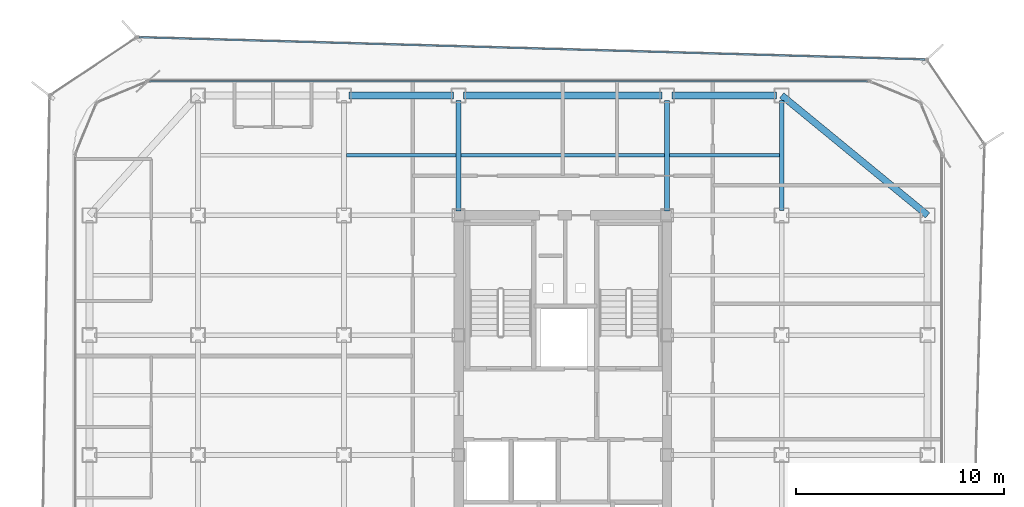
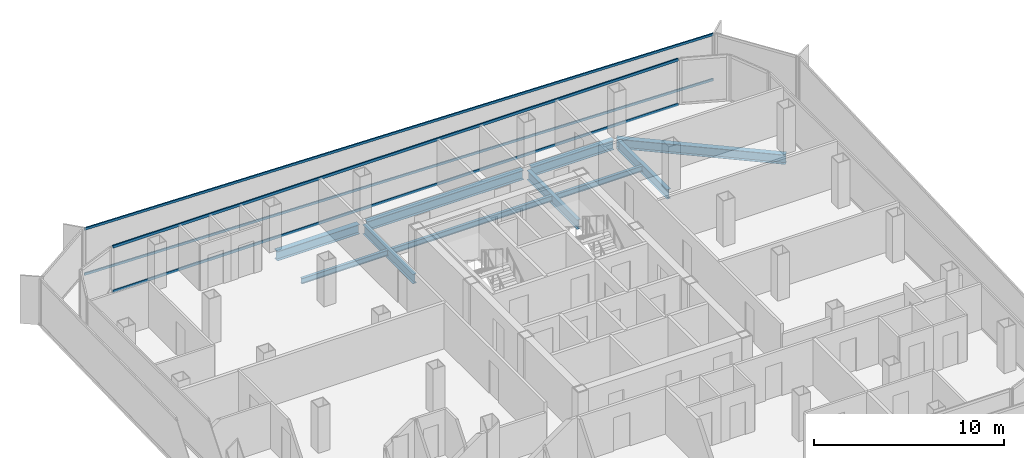
# One storey, part 7 of 16: 10 beams, 4 members, 2 elements without a shape of their own.
"""IFC4 building model written with IfcOpenShell, lengths in metres."""

from ifc_helpers import new_model, si_unit, direction, frame, origin, origin_2d, place, context, subcontext, project, spatial, hollow_rectangle, i_section, extrude, source, transform, mapped, material, layer, layer_set, material_profile, profile_set, type_object, element, aggregate, save


model = new_model("IFC4")

# Units and contexts
model_context = context("Model", 3, precision=1e-05, world=origin(), true_north=direction((0.0, 1.0)))
body_context = subcontext(model_context, "Body", "Model", "MODEL_VIEW")
ifc_project = project(units=[si_unit("LENGTHUNIT", "METRE"), si_unit("AREAUNIT", "SQUARE_METRE"), si_unit("VOLUMEUNIT", "CUBIC_METRE"), si_unit("PLANEANGLEUNIT", "RADIAN"), si_unit("MASSUNIT", "GRAM", prefix="KILO")], contexts=[model_context])

# Site, building, storey
site_placement = place(None, origin())
site = spatial("IfcSite", under=ifc_project, at=site_placement, CompositionType="ELEMENT")
building_placement = place(site_placement, origin())
building = spatial("IfcBuilding", under=site, at=building_placement, Name="Kolveth Station Tower", CompositionType="ELEMENT")
storey_placement = place(building_placement, frame((0.0, 0.0, 209.199951171875)))
storey = spatial("IfcBuildingStorey", under=building, at=storey_placement, Name="L59", CompositionType="ELEMENT", Elevation=209.199951171875)

# Beams
ifc_material_1 = material(Name="Steel S355", Category="steel")
ifc_material_profile_1 = material_profile(ifc_material_1, i_section(OverallWidth=0.323974609375, OverallDepth=0.611083984375, WebThickness=0.0126953125, FlangeThickness=0.01904296875, at=origin_2d()), Name="W610x155")
ifc_profile_set_1 = profile_set([ifc_material_profile_1], Name="Steel S355")
beam_type_1 = type_object("IfcBeamType", Name="Beam_SP2", PredefinedType="SPANDREL", material=ifc_profile_set_1)
shared_shape_1 = source(origin(), body_context, "Body", "SweptSolid", [
    extrude(i_section(OverallWidth=0.323974609375, OverallDepth=0.611083984375, WebThickness=0.0126953125, FlangeThickness=0.01904296875, at=origin_2d()), origin(), (0.0, 0.0, 1.0), 5.02001953125),
])
for number, where, z_axis, x_axis, name in (
    (1, (13.239990234375, 34.5, -0.555419921875), (1.0, 0.0, 0.0), (0.0, 1.0, 0.0), "L59 Perimeter Spandrel BM-L59-PN-2"),
    (2, (28.739990234375, 34.5, -0.555419921875), (1.0, 0.0, 0.0), (0.0, 1.0, 0.0), "L59 Perimeter Spandrel BM-L59-PN-4"),
):
    element("IfcBeam", number, at=place(storey_placement, frame(where, z_axis=z_axis, x_axis=x_axis)), inside=storey, type_object=beam_type_1, Name=name, PredefinedType="SPANDREL", context=body_context, shape_type="MappedRepresentation", body=[
        mapped(shared_shape_1, transform((0.0, 0.0, 0.0), x_axis=(1.0, 0.0, 0.0), y_axis=(0.0, 1.0, 0.0), z_axis=(0.0, 0.0, 1.0), scale=1.0)),
    ])
shared_shape_2 = source(origin(), body_context, "Body", "SweptSolid", [
    extrude(i_section(OverallWidth=0.323974609375, OverallDepth=0.611083984375, WebThickness=0.0126953125, FlangeThickness=0.01904296875, at=origin_2d()), origin(), (0.0, 0.0, 1.0), 9.52001953125),
])
beam_1_placement = place(storey_placement, frame((18.739990234375, 34.5, -0.555419921875), z_axis=(1.0, 0.0, 0.0), x_axis=(0.0, 1.0, 0.0)))
element("IfcBeam", 3, at=beam_1_placement, inside=storey, type_object=beam_type_1, Name="L59 Perimeter Spandrel BM-L59-PN-3", PredefinedType="SPANDREL", context=body_context, shape_type="MappedRepresentation", body=[
    mapped(shared_shape_2, transform((0.0, 0.0, 0.0), x_axis=(1.0, 0.0, 0.0), y_axis=(0.0, 1.0, 0.0), z_axis=(0.0, 0.0, 1.0), scale=1.0)),
])
shared_shape_3 = source(origin(), body_context, "Body", "SweptSolid", [
    extrude(i_section(OverallWidth=0.323974609375, OverallDepth=0.611083984375, WebThickness=0.0126953125, FlangeThickness=0.01904296875, at=origin_2d()), origin(), (0.0, 0.0, 1.0), 9.058837890625),
])
beam_2_placement = place(storey_placement, frame((41.0, 28.75, -0.555419921875), z_axis=(-0.772726254525, 0.63473942336, 0.0), x_axis=(-0.63473942336, -0.772726254525, 0.0)))
element("IfcBeam", 4, at=beam_2_placement, inside=storey, type_object=beam_type_1, Name="L59 Corner Edge Girder BM-L59-CNR-NE", PredefinedType="SPANDREL", context=body_context, shape_type="MappedRepresentation", body=[
    mapped(shared_shape_3, transform((0.0, 0.0, 0.0), x_axis=(1.0, 0.0, 0.0), y_axis=(0.0, 1.0, 0.0), z_axis=(0.0, 0.0, 1.0), scale=1.0)),
])
ifc_material_profile_2 = material_profile(ifc_material_1, i_section(OverallWidth=0.22900390625, OverallDepth=0.612060546875, WebThickness=0.011962890625, FlangeThickness=0.01953125, at=origin_2d()), Name="W610x125")
ifc_profile_set_2 = profile_set([ifc_material_profile_2], Name="Steel S355")
beam_type_2 = type_object("IfcBeamType", Name="Beam_B5", PredefinedType="BEAM", material=ifc_profile_set_2)
shared_shape_4 = source(origin(), body_context, "Body", "SweptSolid", [
    extrude(i_section(OverallWidth=0.22900390625, OverallDepth=0.612060546875, WebThickness=0.011962890625, FlangeThickness=0.01953125, at=origin_2d()), origin(), (0.0, 0.0, 1.0), 5.27001953125),
])
beam_3_placement = place(storey_placement, frame((34.0, 28.989990234375, -0.555908203125), z_axis=(0.0, 1.0, 0.0), x_axis=(-1.0, 0.0, 0.0)))
element("IfcBeam", 5, at=beam_3_placement, inside=storey, type_object=beam_type_2, Name="L59 Primary Girder BM-L59-GX340-6", PredefinedType="BEAM", context=body_context, shape_type="MappedRepresentation", body=[
    mapped(shared_shape_4, transform((0.0, 0.0, 0.0), x_axis=(1.0, 0.0, 0.0), y_axis=(0.0, 1.0, 0.0), z_axis=(0.0, 0.0, 1.0), scale=1.0)),
])
shared_shape_5 = source(origin(), body_context, "Body", "SweptSolid", [
    extrude(i_section(OverallWidth=0.22900390625, OverallDepth=0.612060546875, WebThickness=0.011962890625, FlangeThickness=0.01953125, at=origin_2d()), origin(), (0.0, 0.0, 1.0), 5.31005859375),
])
for number, where, z_axis, x_axis, name in (
    (6, (18.5, 28.949951171875, -0.555908203125), (0.0, 1.0, 0.0), (-1.0, 0.0, 0.0), "L59 Primary Girder BM-L59-GX185-6"),
    (7, (28.5, 28.949951171875, -0.555908203125), (0.0, 1.0, 0.0), (-1.0, 0.0, 0.0), "L59 Primary Girder BM-L59-GX285-6"),
):
    element("IfcBeam", number, at=place(storey_placement, frame(where, z_axis=z_axis, x_axis=x_axis)), inside=storey, type_object=beam_type_2, Name=name, PredefinedType="BEAM", context=body_context, shape_type="MappedRepresentation", body=[
        mapped(shared_shape_5, transform((0.0, 0.0, 0.0), x_axis=(1.0, 0.0, 0.0), y_axis=(0.0, 1.0, 0.0), z_axis=(0.0, 0.0, 1.0), scale=1.0)),
    ])
ifc_material_profile_3 = material_profile(ifc_material_1, i_section(OverallWidth=0.1708984375, OverallDepth=0.35205078125, WebThickness=0.0068359375, FlangeThickness=0.009765625, at=origin_2d()), Name="W360x44")
ifc_profile_set_3 = profile_set([ifc_material_profile_3], Name="Steel S355")
beam_type_3 = type_object("IfcBeamType", Name="Beam_J2", PredefinedType="JOIST", material=ifc_profile_set_3)
shared_shape_6 = source(origin(), body_context, "Body", "SweptSolid", [
    extrude(i_section(OverallWidth=0.1708984375, OverallDepth=0.35205078125, WebThickness=0.0068359375, FlangeThickness=0.009765625, at=origin_2d()), origin(), (0.0, 0.0, 1.0), 5.27490234375),
])
for number, where, z_axis, x_axis, name in (
    (8, (13.112548828125, 31.625, -0.426025390625), (1.0, 0.0, 0.0), (0.0, 1.0, 0.0), "L59 Secondary Joist JST-L59-3-6"),
    (9, (28.612548828125, 31.625, -0.426025390625), (1.0, 0.0, 0.0), (0.0, 1.0, 0.0), "L59 Secondary Joist JST-L59-5-6"),
):
    element("IfcBeam", number, at=place(storey_placement, frame(where, z_axis=z_axis, x_axis=x_axis)), inside=storey, type_object=beam_type_3, Name=name, PredefinedType="JOIST", context=body_context, shape_type="MappedRepresentation", body=[
        mapped(shared_shape_6, transform((0.0, 0.0, 0.0), x_axis=(1.0, 0.0, 0.0), y_axis=(0.0, 1.0, 0.0), z_axis=(0.0, 0.0, 1.0), scale=1.0)),
    ])
shared_shape_7 = source(origin(), body_context, "Body", "SweptSolid", [
    extrude(i_section(OverallWidth=0.1708984375, OverallDepth=0.35205078125, WebThickness=0.0068359375, FlangeThickness=0.009765625, at=origin_2d()), origin(), (0.0, 0.0, 1.0), 9.77490234375),
])
beam_4_placement = place(storey_placement, frame((18.612548828125, 31.625, -0.426025390625), z_axis=(1.0, 0.0, 0.0), x_axis=(0.0, 1.0, 0.0)))
element("IfcBeam", 10, at=beam_4_placement, inside=storey, type_object=beam_type_3, Name="L59 Secondary Joist JST-L59-4-6", PredefinedType="JOIST", context=body_context, shape_type="MappedRepresentation", body=[
    mapped(shared_shape_7, transform((0.0, 0.0, 0.0), x_axis=(1.0, 0.0, 0.0), y_axis=(0.0, 1.0, 0.0), z_axis=(0.0, 0.0, 1.0), scale=1.0)),
])

# Curtain wall, members
ifc_material_2 = material(Name="Aluminium 6063-T6 and low-E dark glass", Category="aluminium")
ifc_layer_1 = layer(ifc_material_2, 0.18994140625)
ifc_layer_set_1 = layer_set([ifc_layer_1], Name="Aluminium 6063-T6 and low-E dark glass")
curtain_wall_type_1 = type_object("IfcCurtainWallType", Name="CurtainWall_CW-Z2", PredefinedType="NOTDEFINED", material=ifc_layer_set_1)
curtain_wall_1_placement = place(storey_placement, origin())
curtain_wall_1 = element("IfcCurtainWall", 11, at=curtain_wall_1_placement, inside=storey, type_object=curtain_wall_type_1, Name="L59 Inner Thermal Curtain Wall 6", PredefinedType="NOTDEFINED")
ifc_material_3 = material(Name="Black anodized aluminium 6063-T6", Category="aluminium")
ifc_material_profile_4 = material_profile(ifc_material_3, hollow_rectangle(XDim=0.080078125, YDim=0.169921875, WallThickness=0.0048828125, at=origin_2d()), Name="ALU-80x170x5")
ifc_profile_set_4 = profile_set([ifc_material_profile_4], Name="Black anodized aluminium 6063-T6")
member_type_1 = type_object("IfcMemberType", Name="Transom_TR2", PredefinedType="USERDEFINED", material=ifc_profile_set_4)
shared_shape_8 = source(origin(), body_context, "Body", "SweptSolid", [
    extrude(hollow_rectangle(XDim=0.080078125, YDim=0.169921875, WallThickness=0.0048828125, at=origin_2d()), origin(), (0.0, 0.0, 1.0), 34.440185546875),
])
member_1_placement = place(storey_placement, frame((38.1201171875, 35.179931640625, 0.0400390625), z_axis=(-1.0, 0.0, 0.0), x_axis=(0.0, -1.0, 0.0)))
member_1 = element("IfcMember", 12, at=member_1_placement, type_object=member_type_1, Name="CW-Z2 transom 1.1", ObjectType="TRANSOM", PredefinedType="USERDEFINED", context=body_context, shape_type="MappedRepresentation", body=[
    mapped(shared_shape_8, transform((0.0, 0.0, 0.0), x_axis=(1.0, 0.0, 0.0), y_axis=(0.0, 1.0, 0.0), z_axis=(0.0, 0.0, 1.0), scale=1.0)),
])
member_2_placement = place(storey_placement, frame((38.1201171875, 35.179931640625, 2.91015625), z_axis=(-1.0, 0.0, 0.0), x_axis=(0.0, -1.0, 0.0)))
member_2 = element("IfcMember", 13, at=member_2_placement, type_object=member_type_1, Name="CW-Z2 transom 1.2", ObjectType="TRANSOM", PredefinedType="USERDEFINED", context=body_context, shape_type="MappedRepresentation", body=[
    mapped(shared_shape_8, transform((0.0, 0.0, 0.0), x_axis=(1.0, 0.0, 0.0), y_axis=(0.0, 1.0, 0.0), z_axis=(0.0, 0.0, 1.0), scale=1.0)),
])
aggregate(curtain_wall_1, [member_1, member_2])

ifc_material_4 = material(Name="Black anodized aluminium 6063-T6 and dark solar glass", Category="aluminium")
ifc_layer_2 = layer(ifc_material_4, 0.159912109375)
ifc_layer_set_2 = layer_set([ifc_layer_2], Name="Black anodized aluminium 6063-T6 and dark solar glass")
curtain_wall_type_2 = type_object("IfcCurtainWallType", Name="OUTER SKIN CW-OS", PredefinedType="NOTDEFINED", material=ifc_layer_set_2)
curtain_wall_2_placement = place(storey_placement, origin())
curtain_wall_2 = element("IfcCurtainWall", 14, at=curtain_wall_2_placement, inside=storey, type_object=curtain_wall_type_2, Name="L59 Outer Ventilated Skin Curtain Wall 4", PredefinedType="NOTDEFINED")
ifc_material_profile_5 = material_profile(ifc_material_3, hollow_rectangle(XDim=0.080078125, YDim=0.14990234375, WallThickness=0.0048828125, at=origin_2d()), Name="ALU-80x150x5")
ifc_profile_set_5 = profile_set([ifc_material_profile_5], Name="Black anodized aluminium 6063-T6")
member_type_2 = type_object("IfcMemberType", Name="Transom_TR-OS", PredefinedType="USERDEFINED", material=ifc_profile_set_5)
shared_shape_9 = source(origin(), body_context, "Body", "SweptSolid", [
    extrude(hollow_rectangle(XDim=0.080078125, YDim=0.14990234375, WallThickness=0.0048828125, at=origin_2d()), origin(), (0.0, 0.0, 1.0), 37.71923828125),
])
member_3_placement = place(storey_placement, frame((40.873046875, 36.2216796875, 0.0400390625), z_axis=(-0.999598795201, 0.028323993938, 0.0), x_axis=(-0.028323993938, -0.999598795201, 0.0)))
member_3 = element("IfcMember", 15, at=member_3_placement, type_object=member_type_2, Name="CW-OS transom 1.1", ObjectType="TRANSOM", PredefinedType="USERDEFINED", context=body_context, shape_type="MappedRepresentation", body=[
    mapped(shared_shape_9, transform((0.0, 0.0, 0.0), x_axis=(1.0, 0.0, 0.0), y_axis=(0.0, 1.0, 0.0), z_axis=(0.0, 0.0, 1.0), scale=1.0)),
])
member_4_placement = place(storey_placement, frame((40.873046875, 36.2216796875, 2.949951171875), z_axis=(-0.999598795201, 0.028323993938, 0.0), x_axis=(-0.028323993938, -0.999598795201, 0.0)))
member_4 = element("IfcMember", 16, at=member_4_placement, type_object=member_type_2, Name="CW-OS transom 1.2", ObjectType="TRANSOM", PredefinedType="USERDEFINED", context=body_context, shape_type="MappedRepresentation", body=[
    mapped(shared_shape_9, transform((0.0, 0.0, 0.0), x_axis=(1.0, 0.0, 0.0), y_axis=(0.0, 1.0, 0.0), z_axis=(0.0, 0.0, 1.0), scale=1.0)),
])
aggregate(curtain_wall_2, [member_3, member_4])

save(model, "model.ifc")
